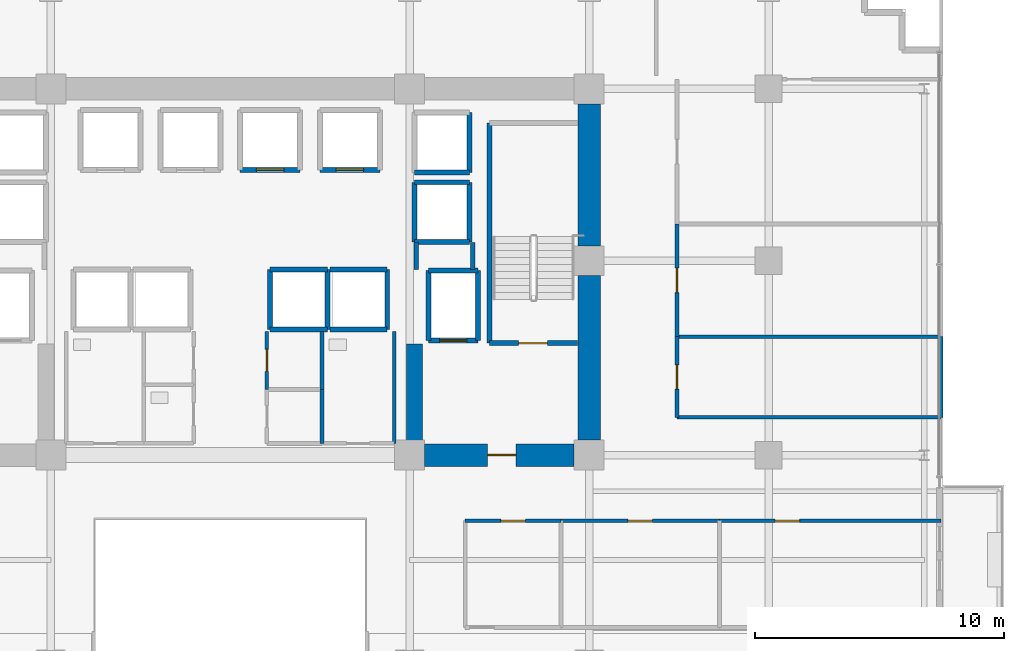
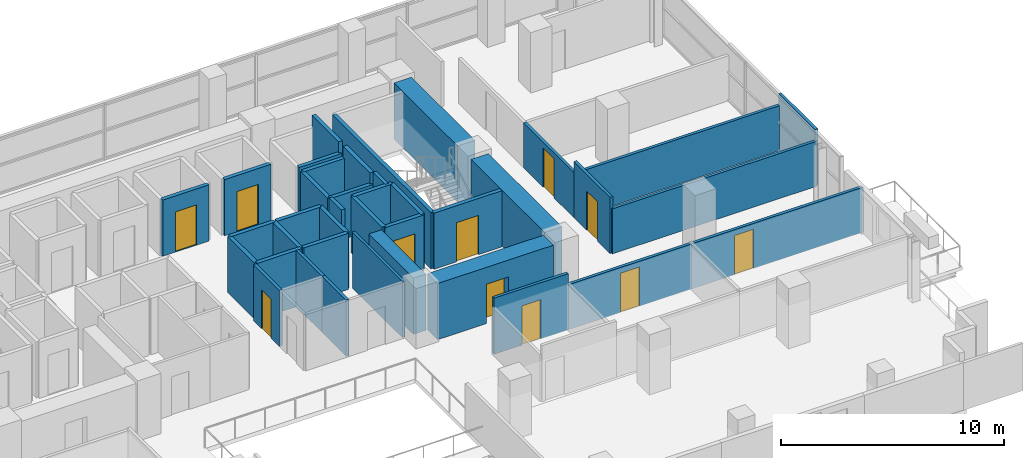
# One storey, part 24 of 30: 39 walls, 11 doors, 11 openings.
"""IFC4 building model written with IfcOpenShell, lengths in metres."""

from ifc_helpers import new_model, si_unit, direction, frame, frame_2d, origin, place, context, subcontext, project, spatial, rectangle, extrude, source, transform, mapped, material, layer, layer_set, type_object, element, fill, save


model = new_model("IFC4")

# Units and contexts
model_context = context("Model", 3, precision=1e-05, world=origin(), true_north=direction((0.0, 1.0)))
body_context = subcontext(model_context, "Body", "Model", "MODEL_VIEW")
ifc_project = project(units=[si_unit("LENGTHUNIT", "METRE"), si_unit("AREAUNIT", "SQUARE_METRE"), si_unit("VOLUMEUNIT", "CUBIC_METRE"), si_unit("PLANEANGLEUNIT", "RADIAN"), si_unit("MASSUNIT", "GRAM", prefix="KILO")], contexts=[model_context])

# Site, building, storey
site_placement = place(None, origin())
site = spatial("IfcSite", under=ifc_project, at=site_placement, CompositionType="ELEMENT")
building_placement = place(site_placement, origin())
building = spatial("IfcBuilding", under=site, at=building_placement, Name="Zarnakvel Exchange Tower", CompositionType="ELEMENT")
storey_placement = place(building_placement, frame((0.0, 0.0, 50.5)))
storey = spatial("IfcBuildingStorey", under=building, at=storey_placement, Name="L13", CompositionType="ELEMENT", Elevation=50.5)

# Walls
ifc_material_1 = material(Name="Concrete C80/95", Category="concrete")
ifc_layer_1 = layer(ifc_material_1, 0.89990234375)
ifc_layer_set_1 = layer_set([ifc_layer_1], Name="Concrete C80/95")
wall_type_1 = type_object("IfcWallType", Name="CW-C1", PredefinedType="SHEAR", material=ifc_layer_set_1)
wall_1_placement = place(storey_placement, frame((14.39990234375, -0.60009765625, 0.0), z_axis=(0.0, 0.0, 1.0), x_axis=(0.0, 1.0, 0.0)))
element("IfcWall", 1, at=wall_1_placement, inside=storey, type_object=wall_type_1, Name="L13 Rear Core Shear Wall E1 (CW-C1)", PredefinedType="SHEAR", context=body_context, shape_type="SweptSolid", body=[
    extrude(rectangle(XDim=6.60009765625, YDim=0.89990234375, at=frame_2d((3.300048828125, 0.0))), origin(), (0.0, 0.0, 1.0), 3.074951171875),
])
wall_2_placement = place(storey_placement, frame((14.39990234375, 7.199951171875, 0.0), z_axis=(0.0, 0.0, 1.0), x_axis=(0.0, 1.0, 0.0)))
element("IfcWall", 2, at=wall_2_placement, inside=storey, type_object=wall_type_1, Name="L13 Rear Core Shear Wall E2 (CW-C1)", PredefinedType="SHEAR", context=body_context, shape_type="SweptSolid", body=[
    extrude(rectangle(XDim=5.699951171875, YDim=0.89990234375, at=frame_2d((2.85009765625, 0.0))), origin(), (0.0, 0.0, 1.0), 3.074951171875),
])

# Wall, opening, door
wall_3_placement = place(storey_placement, frame((13.800048828125, -1.199951171875, 0.0), z_axis=(0.0, 0.0, 1.0), x_axis=(-1.0, 0.0, 0.0)))
wall_3 = element("IfcWall", 3, at=wall_3_placement, inside=storey, type_object=wall_type_1, Name="L13 Rear Core Shear Wall SE (CW-C1)", PredefinedType="SHEAR", context=body_context, shape_type="SweptSolid", body=[
    extrude(rectangle(XDim=6.0, YDim=0.89990234375, at=frame_2d((3.0, 0.0))), origin(), (0.0, 0.0, 1.0), 3.074951171875),
])
opening_1_placement = place(wall_3_placement, frame((2.324951171875, 0.0, 0.0)))
opening_1 = element("IfcOpeningElement", 4, at=opening_1_placement, cuts=wall_3, Name="Opening D-L13-04", PredefinedType="OPENING", context=body_context, shape_type="SweptSolid", body=[
    extrude(rectangle(XDim=1.14990234375, YDim=2.14990234375, at=frame_2d((0.574951171875, 1.074951171875))), frame((0.0, 0.4599609375, 0.0), z_axis=(0.0, -1.0, 0.0), x_axis=(1.0, 0.0, 0.0)), (0.0, 0.0, 1.0), 0.919921875),
])
ifc_material_2 = material(Name="Painted Galvanised Steel S355", Category="steel")
door_type_1 = type_object("IfcDoorType", Name="DT-04", OperationType="NOTDEFINED", PredefinedType="DOOR", material=ifc_material_2)
shared_shape_1 = source(origin(), body_context, "Body", "SweptSolid", [
    extrude(rectangle(XDim=1.14990234375, YDim=2.14990234375, at=frame_2d((0.574951171875, 1.074951171875))), frame((0.0, 0.02490234375, 0.0), z_axis=(0.0, -1.0, 0.0), x_axis=(1.0, 0.0, 0.0)), (0.0, 0.0, 1.0), 0.050048828125),
])
door_1_placement = place(opening_1_placement, origin())
door_1 = element("IfcDoor", 5, at=door_1_placement, inside=storey, type_object=door_type_1, Name="L13 Firefighting Lobby East Door D-L13-04", OperationType="SINGLE_SWING_RIGHT", OverallHeight=2.14990234375, OverallWidth=1.14990234375, PredefinedType="DOOR", context=body_context, shape_type="MappedRepresentation", body=[
    mapped(shared_shape_1, transform((0.0, 0.0, 0.0), x_axis=(1.0, 0.0, 0.0), y_axis=(0.0, 1.0, 0.0), z_axis=(0.0, 0.0, 1.0), scale=1.0)),
])
fill(opening_1, door_1)

# Walls
ifc_layer_2 = layer(ifc_material_1, 0.64990234375)
ifc_layer_set_2 = layer_set([ifc_layer_2], Name="Concrete C80/95")
wall_type_2 = type_object("IfcWallType", Name="CW-C2", PredefinedType="SHEAR", material=ifc_layer_set_2)
wall_4_placement = place(storey_placement, frame((7.39990234375, -0.75, 0.0), z_axis=(0.0, 0.0, 1.0), x_axis=(0.0, 1.0, 0.0)))
element("IfcWall", 6, at=wall_4_placement, inside=storey, type_object=wall_type_2, Name="L13 Rear Core Shear Wall IE (CW-C2)", PredefinedType="SHEAR", context=body_context, shape_type="SweptSolid", body=[
    extrude(rectangle(XDim=4.0, YDim=0.64990234375, at=frame_2d((2.0, 0.0))), origin(), (0.0, 0.0, 1.0), 3.074951171875),
])
ifc_material_3 = material(Name="Fire-Rated Gypsum Stud Partition", Category="gypsum")
ifc_layer_3 = layer(ifc_material_3, 0.14990234375)
ifc_layer_set_3 = layer_set([ifc_layer_3], Name="Fire-Rated Gypsum Stud Partition")
wall_type_3 = type_object("IfcWallType", Name="PT-01", PredefinedType="PARTITIONING", material=ifc_layer_set_3)
wall_5_placement = place(storey_placement, frame((3.679931640625, 1.429931640625, 0.0), z_axis=(0.0, 0.0, 1.0), x_axis=(0.0, -1.0, 0.0)))
element("IfcWall", 7, at=wall_5_placement, inside=storey, type_object=wall_type_3, Name="L13 Partition Wall PWALL-L13-021 (PT-01)", PredefinedType="PARTITIONING", context=body_context, shape_type="SweptSolid", body=[
    extrude(rectangle(XDim=2.159912109375, YDim=0.14990234375, at=frame_2d((1.080078125, 0.0))), origin(), (0.0, 0.0, 1.0), 3.074951171875),
])

# Wall, opening, door
wall_6_placement = place(storey_placement, frame((1.469970703125, 1.429931640625, 0.0), z_axis=(0.0, 0.0, 1.0), x_axis=(0.0, 1.0, 0.0)))
wall_6 = element("IfcWall", 8, at=wall_6_placement, inside=storey, type_object=wall_type_3, Name="L13 Partition Wall PWALL-L13-022 (PT-01)", PredefinedType="PARTITIONING", context=body_context, shape_type="SweptSolid", body=[
    extrude(rectangle(XDim=2.330078125, YDim=0.14990234375, at=frame_2d((1.1650390625, 0.0))), origin(), (0.0, 0.0, 1.0), 3.074951171875),
])
opening_2_placement = place(wall_6_placement, frame((0.72998046875, 0.0, 0.0)))
opening_2 = element("IfcOpeningElement", 9, at=opening_2_placement, cuts=wall_6, Name="Opening D-L13-09", PredefinedType="OPENING", context=body_context, shape_type="SweptSolid", body=[
    extrude(rectangle(XDim=0.8798828125, YDim=2.14990234375, at=frame_2d((0.43994140625, 1.074951171875))), frame((0.0, 0.0849609375, 0.0), z_axis=(0.0, -1.0, 0.0), x_axis=(1.0, 0.0, 0.0)), (0.0, 0.0, 1.0), 0.169921875),
])
ifc_material_4 = material(Name="Timber Acoustic Veneer", Category="wood")
door_type_2 = type_object("IfcDoorType", Name="DT-05", OperationType="NOTDEFINED", PredefinedType="DOOR", material=ifc_material_4)
shared_shape_2 = source(origin(), body_context, "Body", "SweptSolid", [
    extrude(rectangle(XDim=0.8798828125, YDim=2.14990234375, at=frame_2d((0.43994140625, 1.074951171875))), frame((0.0, 0.02490234375, 0.0), z_axis=(0.0, -1.0, 0.0), x_axis=(1.0, 0.0, 0.0)), (0.0, 0.0, 1.0), 0.050048828125),
])
door_2_placement = place(opening_2_placement, origin())
door_2 = element("IfcDoor", 10, at=door_2_placement, inside=storey, type_object=door_type_2, Name="L13 Stationery Store Door D-L13-09", OperationType="SINGLE_SWING_LEFT", OverallHeight=2.14990234375, OverallWidth=0.8798828125, PredefinedType="DOOR", context=body_context, shape_type="MappedRepresentation", body=[
    mapped(shared_shape_2, transform((0.0, 0.0, 0.0), x_axis=(1.0, 0.0, 0.0), y_axis=(0.0, 1.0, 0.0), z_axis=(0.0, 0.0, 1.0), scale=1.0)),
])
fill(opening_2, door_2)

# Wall
wall_7_placement = place(storey_placement, frame((3.679931640625, 3.760009765625, 0.0), z_axis=(0.0, 0.0, 1.0), x_axis=(0.0, -1.0, 0.0)))
element("IfcWall", 11, at=wall_7_placement, inside=storey, type_object=wall_type_3, Name="L13 Partition Wall PWALL-L13-023 (PT-01)", PredefinedType="PARTITIONING", context=body_context, shape_type="SweptSolid", body=[
    extrude(rectangle(XDim=2.330078125, YDim=0.14990234375, at=frame_2d((1.1650390625, 0.0))), origin(), (0.0, 0.0, 1.0), 3.074951171875),
])

# Wall, opening, door
wall_8_placement = place(storey_placement, frame((9.429931640625, -3.830078125, 0.0), z_axis=(0.0, 0.0, 1.0), x_axis=(1.0, 0.0, 0.0)))
wall_8 = element("IfcWall", 12, at=wall_8_placement, inside=storey, type_object=wall_type_3, Name="L13 Partition Wall PWALL-L13-037 (PT-01)", PredefinedType="PARTITIONING", context=body_context, shape_type="SweptSolid", body=[
    extrude(rectangle(XDim=3.838134765625, YDim=0.14990234375, at=frame_2d((1.9189453125, 0.0))), origin(), (0.0, 0.0, 1.0), 3.074951171875),
])
opening_3_placement = place(wall_8_placement, frame((1.428955078125, 0.0, 0.0)))
opening_3 = element("IfcOpeningElement", 13, at=opening_3_placement, cuts=wall_8, Name="Opening D-L13-14", PredefinedType="OPENING", context=body_context, shape_type="SweptSolid", body=[
    extrude(rectangle(XDim=0.97998046875, YDim=2.14990234375, at=frame_2d((0.489990234375, 1.074951171875))), frame((0.0, 0.0849609375, 0.0), z_axis=(0.0, -1.0, 0.0), x_axis=(1.0, 0.0, 0.0)), (0.0, 0.0, 1.0), 0.169921875),
])
shared_shape_3 = source(origin(), body_context, "Body", "SweptSolid", [
    extrude(rectangle(XDim=0.97998046875, YDim=2.14990234375, at=frame_2d((0.489990234375, 1.074951171875))), frame((0.0, 0.02490234375, 0.0), z_axis=(0.0, -1.0, 0.0), x_axis=(1.0, 0.0, 0.0)), (0.0, 0.0, 1.0), 0.050048828125),
])
door_3_placement = place(opening_3_placement, origin())
door_3 = element("IfcDoor", 14, at=door_3_placement, inside=storey, type_object=door_type_2, Name="L13 Conference Room Door D-L13-14", OperationType="SINGLE_SWING_RIGHT", OverallHeight=2.14990234375, OverallWidth=0.97998046875, PredefinedType="DOOR", context=body_context, shape_type="MappedRepresentation", body=[
    mapped(shared_shape_3, transform((0.0, 0.0, 0.0), x_axis=(1.0, 0.0, 0.0), y_axis=(0.0, 1.0, 0.0), z_axis=(0.0, 0.0, 1.0), scale=1.0)),
])
fill(opening_3, door_3)

wall_9_placement = place(storey_placement, frame((13.26806640625, -3.830078125, 0.0), z_axis=(0.0, 0.0, 1.0), x_axis=(1.0, 0.0, 0.0)))
wall_9 = element("IfcWall", 15, at=wall_9_placement, inside=storey, type_object=wall_type_3, Name="L13 Partition Wall PWALL-L13-041 (PT-01)", PredefinedType="PARTITIONING", context=body_context, shape_type="SweptSolid", body=[
    extrude(rectangle(XDim=6.36669921875, YDim=0.14990234375, at=frame_2d((3.183349609375, 0.0))), origin(), (0.0, 0.0, 1.0), 2.465087890625),
])
opening_4_placement = place(wall_9_placement, frame((2.693115234375, 0.0, 0.0)))
opening_4 = element("IfcOpeningElement", 16, at=opening_4_placement, cuts=wall_9, Name="Opening D-L13-15", PredefinedType="OPENING", context=body_context, shape_type="SweptSolid", body=[
    extrude(rectangle(XDim=0.97998046875, YDim=2.14990234375, at=frame_2d((0.489990234375, 1.074951171875))), frame((0.0, 0.0849609375, 0.0), z_axis=(0.0, -1.0, 0.0), x_axis=(1.0, 0.0, 0.0)), (0.0, 0.0, 1.0), 0.169921875),
])
door_4_placement = place(opening_4_placement, origin())
door_4 = element("IfcDoor", 17, at=door_4_placement, inside=storey, type_object=door_type_2, Name="L13 Executive Suite Door D-L13-15", OperationType="SINGLE_SWING_LEFT", OverallHeight=2.14990234375, OverallWidth=0.97998046875, PredefinedType="DOOR", context=body_context, shape_type="MappedRepresentation", body=[
    mapped(shared_shape_3, transform((0.0, 0.0, 0.0), x_axis=(1.0, 0.0, 0.0), y_axis=(0.0, 1.0, 0.0), z_axis=(0.0, 0.0, 1.0), scale=1.0)),
])
fill(opening_4, door_4)

wall_10_placement = place(storey_placement, frame((19.634765625, -3.830078125, 0.0), z_axis=(0.0, 0.0, 1.0), x_axis=(1.0, 0.0, 0.0)))
wall_10 = element("IfcWall", 18, at=wall_10_placement, inside=storey, type_object=wall_type_3, Name="L13 Partition Wall PWALL-L13-044 (PT-01)", PredefinedType="PARTITIONING", context=body_context, shape_type="SweptSolid", body=[
    extrude(rectangle(XDim=8.895263671875, YDim=0.14990234375, at=frame_2d((4.44775390625, 0.0))), origin(), (0.0, 0.0, 1.0), 2.465087890625),
])
opening_5_placement = place(wall_10_placement, frame((2.232421875, 0.0, 0.0)))
opening_5 = element("IfcOpeningElement", 19, at=opening_5_placement, cuts=wall_10, Name="Opening D-L13-16", PredefinedType="OPENING", context=body_context, shape_type="SweptSolid", body=[
    extrude(rectangle(XDim=0.97998046875, YDim=2.14990234375, at=frame_2d((0.489990234375, 1.074951171875))), frame((0.0, 0.0849609375, 0.0), z_axis=(0.0, -1.0, 0.0), x_axis=(1.0, 0.0, 0.0)), (0.0, 0.0, 1.0), 0.169921875),
])
door_5_placement = place(opening_5_placement, origin())
door_5 = element("IfcDoor", 20, at=door_5_placement, inside=storey, type_object=door_type_2, Name="L13 Staff Pantry Door D-L13-16", OperationType="SINGLE_SWING_RIGHT", OverallHeight=2.14990234375, OverallWidth=0.97998046875, PredefinedType="DOOR", context=body_context, shape_type="MappedRepresentation", body=[
    mapped(shared_shape_3, transform((0.0, 0.0, 0.0), x_axis=(1.0, 0.0, 0.0), y_axis=(0.0, 1.0, 0.0), z_axis=(0.0, 0.0, 1.0), scale=1.0)),
])
fill(opening_5, door_5)

# Walls
for number, where, z_axis, x_axis, name in (
    (21, (28.530029296875, 0.314453125, 0.0), (0.0, 0.0, 1.0), (-1.0, 0.0, 0.0), "L13 Partition Wall PWALL-L13-052 (PT-01)"),
    (22, (17.929931640625, 3.553466796875, 0.0), (0.0, 0.0, 1.0), (1.0, 0.0, 0.0), "L13 Partition Wall PWALL-L13-053 (PT-01)"),
):
    element("IfcWall", number, at=place(storey_placement, frame(where, z_axis=z_axis, x_axis=x_axis)), inside=storey, type_object=wall_type_3, Name=name, PredefinedType="PARTITIONING", context=body_context, shape_type="SweptSolid", body=[
        extrude(rectangle(XDim=10.60009765625, YDim=0.14990234375, at=frame_2d((5.300048828125, 0.0))), origin(), (0.0, 0.0, 1.0), 2.465087890625),
    ])

# Wall, opening, door
wall_11_placement = place(storey_placement, frame((17.929931640625, 0.314453125, 0.0), z_axis=(0.0, 0.0, 1.0), x_axis=(0.0, 1.0, 0.0)))
wall_11 = element("IfcWall", 23, at=wall_11_placement, inside=storey, type_object=wall_type_3, Name="L13 Partition Wall PWALL-L13-054 (PT-01)", PredefinedType="PARTITIONING", context=body_context, shape_type="SweptSolid", body=[
    extrude(rectangle(XDim=3.239013671875, YDim=0.14990234375, at=frame_2d((1.61962890625, 0.0))), origin(), (0.0, 0.0, 1.0), 3.074951171875),
])
opening_6_placement = place(wall_11_placement, frame((1.129638671875, 0.0, 0.0)))
opening_6 = element("IfcOpeningElement", 24, at=opening_6_placement, cuts=wall_11, Name="Opening D-L13-20", PredefinedType="OPENING", context=body_context, shape_type="SweptSolid", body=[
    extrude(rectangle(XDim=0.97998046875, YDim=2.14990234375, at=frame_2d((0.489990234375, 1.074951171875))), frame((0.0, 0.0849609375, 0.0), z_axis=(0.0, -1.0, 0.0), x_axis=(1.0, 0.0, 0.0)), (0.0, 0.0, 1.0), 0.169921875),
])
door_6_placement = place(opening_6_placement, origin())
door_6 = element("IfcDoor", 25, at=door_6_placement, inside=storey, type_object=door_type_2, Name="L13 Compliance Office Door D-L13-20", OperationType="SINGLE_SWING_RIGHT", OverallHeight=2.14990234375, OverallWidth=0.97998046875, PredefinedType="DOOR", context=body_context, shape_type="MappedRepresentation", body=[
    mapped(shared_shape_3, transform((0.0, 0.0, 0.0), x_axis=(1.0, 0.0, 0.0), y_axis=(0.0, 1.0, 0.0), z_axis=(0.0, 0.0, 1.0), scale=1.0)),
])
fill(opening_6, door_6)

# Wall
wall_12_placement = place(storey_placement, frame((28.530029296875, 3.553466796875, 0.0), z_axis=(0.0, 0.0, 1.0), x_axis=(0.0, -1.0, 0.0)))
element("IfcWall", 26, at=wall_12_placement, inside=storey, type_object=wall_type_3, Name="L13 Partition Wall PWALL-L13-055 (PT-01)", PredefinedType="PARTITIONING", context=body_context, shape_type="SweptSolid", body=[
    extrude(rectangle(XDim=3.239013671875, YDim=0.14990234375, at=frame_2d((1.61962890625, 0.0))), origin(), (0.0, 0.0, 1.0), 3.074951171875),
])

# Wall, opening, door
wall_13_placement = place(storey_placement, frame((17.929931640625, 3.553466796875, 0.0), z_axis=(0.0, 0.0, 1.0), x_axis=(0.0, 1.0, 0.0)))
wall_13 = element("IfcWall", 27, at=wall_13_placement, inside=storey, type_object=wall_type_3, Name="L13 Partition Wall PWALL-L13-057 (PT-01)", PredefinedType="PARTITIONING", context=body_context, shape_type="SweptSolid", body=[
    extrude(rectangle(XDim=4.521728515625, YDim=0.14990234375, at=frame_2d((2.2607421875, 0.0))), origin(), (0.0, 0.0, 1.0), 2.465087890625),
])
opening_7_placement = place(wall_13_placement, frame((1.7705078125, 0.0, 0.0)))
opening_7 = element("IfcOpeningElement", 28, at=opening_7_placement, cuts=wall_13, Name="Opening D-L13-21", PredefinedType="OPENING", context=body_context, shape_type="SweptSolid", body=[
    extrude(rectangle(XDim=0.97998046875, YDim=2.14990234375, at=frame_2d((0.489990234375, 1.074951171875))), frame((0.0, 0.0849609375, 0.0), z_axis=(0.0, -1.0, 0.0), x_axis=(1.0, 0.0, 0.0)), (0.0, 0.0, 1.0), 0.169921875),
])
door_7_placement = place(opening_7_placement, origin())
door_7 = element("IfcDoor", 29, at=door_7_placement, inside=storey, type_object=door_type_2, Name="L13 Client Lounge Door D-L13-21", OperationType="SINGLE_SWING_LEFT", OverallHeight=2.14990234375, OverallWidth=0.97998046875, PredefinedType="DOOR", context=body_context, shape_type="MappedRepresentation", body=[
    mapped(shared_shape_3, transform((0.0, 0.0, 0.0), x_axis=(1.0, 0.0, 0.0), y_axis=(0.0, 1.0, 0.0), z_axis=(0.0, 0.0, 1.0), scale=1.0)),
])
fill(opening_7, door_7)

# Walls
ifc_layer_4 = layer(ifc_material_3, 0.179931640625)
ifc_layer_set_4 = layer_set([ifc_layer_4], Name="Fire-Rated Gypsum Stud Partition")
wall_type_4 = type_object("IfcWallType", Name="PT-02", PredefinedType="PARTITIONING", material=ifc_layer_set_4)
wall_14_placement = place(storey_placement, frame((7.469970703125, 6.239990234375, 0.0), z_axis=(0.0, 0.0, 1.0), x_axis=(0.0, 1.0, 0.0)))
element("IfcWall", 30, at=wall_14_placement, inside=storey, type_object=wall_type_4, Name="L13 Partition Wall PWALL-L13-009 (PT-02)", PredefinedType="PARTITIONING", context=body_context, shape_type="SweptSolid", body=[
    extrude(rectangle(XDim=1.090087890625, YDim=0.179931640625, at=frame_2d((0.544921875, 0.0))), origin(), (0.0, 0.0, 1.0), 2.465087890625),
])
wall_15_placement = place(storey_placement, frame((9.72998046875, 7.330078125, 0.0), z_axis=(0.0, 0.0, 1.0), x_axis=(0.0, -1.0, 0.0)))
element("IfcWall", 31, at=wall_15_placement, inside=storey, type_object=wall_type_4, Name="L13 Partition Wall PWALL-L13-010 (PT-02)", PredefinedType="PARTITIONING", context=body_context, shape_type="SweptSolid", body=[
    extrude(rectangle(XDim=1.090087890625, YDim=0.179931640625, at=frame_2d((0.544921875, 0.0))), origin(), (0.0, 0.0, 1.0), 3.074951171875),
])
ifc_material_5 = material(Name="Moisture-Resistant Tile-Faced Partition", Category="gypsum")
ifc_layer_5 = layer(ifc_material_5, 0.135009765625)
ifc_layer_set_5 = layer_set([ifc_layer_5], Name="Moisture-Resistant Tile-Faced Partition")
wall_type_5 = type_object("IfcWallType", Name="PT-03", PredefinedType="PARTITIONING", material=ifc_layer_set_5)
wall_16_placement = place(storey_placement, frame((6.580078125, 3.760009765625, 0.0), z_axis=(0.0, 0.0, 1.0), x_axis=(0.0, -1.0, 0.0)))
element("IfcWall", 32, at=wall_16_placement, inside=storey, type_object=wall_type_5, Name="L13 Partition Wall PWALL-L13-025 (PT-03)", PredefinedType="PARTITIONING", context=body_context, shape_type="SweptSolid", body=[
    extrude(rectangle(XDim=4.489990234375, YDim=0.135009765625, at=frame_2d((2.2451171875, 0.0))), origin(), (0.0, 0.0, 1.0), 3.074951171875),
])

# Wall, opening, door
ifc_material_6 = material(Name="Concrete C40/50", Category="concrete")
ifc_layer_6 = layer(ifc_material_6, 0.199951171875)
ifc_layer_set_6 = layer_set([ifc_layer_6], Name="Concrete C40/50")
wall_type_6 = type_object("IfcWallType", Name="SW-01", PredefinedType="SOLIDWALL", material=ifc_layer_set_6)
wall_17_placement = place(storey_placement, frame((9.949951171875, 3.39990234375, 0.0), z_axis=(0.0, 0.0, 1.0), x_axis=(-1.0, 0.0, 0.0)))
wall_17 = element("IfcWall", 33, at=wall_17_placement, inside=storey, type_object=wall_type_6, Name="L13 FL-02 Hoistway Wall South", PredefinedType="SOLIDWALL", context=body_context, shape_type="SweptSolid", body=[
    extrude(rectangle(XDim=2.0, YDim=0.199951171875, at=frame_2d((1.0, 0.0))), origin(), (0.0, 0.0, 1.0), 3.074951171875),
])
opening_8_placement = place(wall_17_placement, frame((0.449951171875, 0.0, 0.0)))
opening_8 = element("IfcOpeningElement", 34, at=opening_8_placement, cuts=wall_17, Name="Opening LD-FL-02-L13", PredefinedType="OPENING", context=body_context, shape_type="SweptSolid", body=[
    extrude(rectangle(XDim=1.10009765625, YDim=2.199951171875, at=frame_2d((0.550048828125, 1.10009765625))), frame((0.0, 0.10986328125, 0.0), z_axis=(0.0, -1.0, 0.0), x_axis=(1.0, 0.0, 0.0)), (0.0, 0.0, 1.0), 0.219970703125),
])
ifc_material_7 = material(Name="Brushed Stainless Steel", Category="steel")
door_type_3 = type_object("IfcDoorType", Name="LDT-01", OperationType="NOTDEFINED", PredefinedType="DOOR", material=ifc_material_7)
shared_shape_4 = source(origin(), body_context, "Body", "SweptSolid", [
    extrude(rectangle(XDim=1.10009765625, YDim=2.199951171875, at=frame_2d((0.550048828125, 1.10009765625))), frame((0.0, 0.02490234375, 0.0), z_axis=(0.0, -1.0, 0.0), x_axis=(1.0, 0.0, 0.0)), (0.0, 0.0, 1.0), 0.050048828125),
])
door_8_placement = place(opening_8_placement, origin())
door_8 = element("IfcDoor", 35, at=door_8_placement, inside=storey, type_object=door_type_3, Name="L13 FL-02 Lift Landing Door LD-FL-02-L13", OperationType="DOUBLE_DOOR_SLIDING", OverallHeight=2.199951171875, OverallWidth=1.10009765625, PredefinedType="DOOR", context=body_context, shape_type="MappedRepresentation", body=[
    mapped(shared_shape_4, transform((0.0, 0.0, 0.0), x_axis=(1.0, 0.0, 0.0), y_axis=(0.0, 1.0, 0.0), z_axis=(0.0, 0.0, 1.0), scale=1.0)),
])
fill(opening_8, door_8)

# Walls
wall_18_placement = place(storey_placement, frame((7.949951171875, 6.199951171875, 0.0), z_axis=(0.0, 0.0, 1.0), x_axis=(1.0, 0.0, 0.0)))
element("IfcWall", 36, at=wall_18_placement, inside=storey, type_object=wall_type_6, Name="L13 FL-02 Hoistway Wall North", PredefinedType="SOLIDWALL", context=body_context, shape_type="SweptSolid", body=[
    extrude(rectangle(XDim=2.0, YDim=0.199951171875, at=frame_2d((1.0, 0.0))), origin(), (0.0, 0.0, 1.0), 3.074951171875),
])
for number, where, z_axis, x_axis, name in (
    (37, (7.949951171875, 3.39990234375, 0.0), (0.0, 0.0, 1.0), (0.0, 1.0, 0.0), "L13 FL-02 Hoistway Wall West"),
    (38, (9.949951171875, 6.199951171875, 0.0), (0.0, 0.0, 1.0), (0.0, -1.0, 0.0), "L13 FL-02 Hoistway Wall East"),
):
    element("IfcWall", number, at=place(storey_placement, frame(where, z_axis=z_axis, x_axis=x_axis)), inside=storey, type_object=wall_type_6, Name=name, PredefinedType="SOLIDWALL", context=body_context, shape_type="SweptSolid", body=[
        extrude(rectangle(XDim=2.800048828125, YDim=0.199951171875, at=frame_2d((1.39990234375, 0.0))), origin(), (0.0, 0.0, 1.0), 3.074951171875),
    ])

# Wall, opening, door
wall_19_placement = place(storey_placement, frame((2.800048828125, 10.25, 0.0), z_axis=(0.0, 0.0, 1.0), x_axis=(-1.0, 0.0, 0.0)))
wall_19 = element("IfcWall", 39, at=wall_19_placement, inside=storey, type_object=wall_type_6, Name="L13 PL-03 Hoistway Wall South", PredefinedType="SOLIDWALL", context=body_context, shape_type="SweptSolid", body=[
    extrude(rectangle(XDim=2.400146484375, YDim=0.199951171875, at=frame_2d((1.2001953125, 0.0))), origin(), (0.0, 0.0, 1.0), 3.074951171875),
])
opening_9_placement = place(wall_19_placement, frame((0.64990234375, 0.0, 0.0)))
opening_9 = element("IfcOpeningElement", 40, at=opening_9_placement, cuts=wall_19, Name="Opening LD-PL-03-L13", PredefinedType="OPENING", context=body_context, shape_type="SweptSolid", body=[
    extrude(rectangle(XDim=1.10009765625, YDim=2.199951171875, at=frame_2d((0.550048828125, 1.10009765625))), frame((0.0, 0.10986328125, 0.0), z_axis=(0.0, -1.0, 0.0), x_axis=(1.0, 0.0, 0.0)), (0.0, 0.0, 1.0), 0.219970703125),
])
ifc_material_8 = material(Name="Architectural Bronze Anodised Aluminium", Category="aluminium")
door_type_4 = type_object("IfcDoorType", Name="LDT-02", OperationType="NOTDEFINED", PredefinedType="DOOR", material=ifc_material_8)
door_9_placement = place(opening_9_placement, origin())
door_9 = element("IfcDoor", 41, at=door_9_placement, inside=storey, type_object=door_type_4, Name="L13 PL-03 Lift Landing Door LD-PL-03-L13", OperationType="DOUBLE_DOOR_SLIDING", OverallHeight=2.199951171875, OverallWidth=1.10009765625, PredefinedType="DOOR", context=body_context, shape_type="MappedRepresentation", body=[
    mapped(shared_shape_4, transform((0.0, 0.0, 0.0), x_axis=(1.0, 0.0, 0.0), y_axis=(0.0, 1.0, 0.0), z_axis=(0.0, 0.0, 1.0), scale=1.0)),
])
fill(opening_9, door_9)

wall_20_placement = place(storey_placement, frame((6.0, 10.25, 0.0), z_axis=(0.0, 0.0, 1.0), x_axis=(-1.0, 0.0, 0.0)))
wall_20 = element("IfcWall", 42, at=wall_20_placement, inside=storey, type_object=wall_type_6, Name="L13 PL-04 Hoistway Wall South", PredefinedType="SOLIDWALL", context=body_context, shape_type="SweptSolid", body=[
    extrude(rectangle(XDim=2.39990234375, YDim=0.199951171875, at=frame_2d((1.199951171875, 0.0))), origin(), (0.0, 0.0, 1.0), 3.074951171875),
])
opening_10_placement = place(wall_20_placement, frame((0.64990234375, 0.0, 0.0)))
opening_10 = element("IfcOpeningElement", 43, at=opening_10_placement, cuts=wall_20, Name="Opening LD-PL-04-L13", PredefinedType="OPENING", context=body_context, shape_type="SweptSolid", body=[
    extrude(rectangle(XDim=1.10009765625, YDim=2.199951171875, at=frame_2d((0.550048828125, 1.10009765625))), frame((0.0, 0.10986328125, 0.0), z_axis=(0.0, -1.0, 0.0), x_axis=(1.0, 0.0, 0.0)), (0.0, 0.0, 1.0), 0.219970703125),
])
door_10_placement = place(opening_10_placement, origin())
door_10 = element("IfcDoor", 44, at=door_10_placement, inside=storey, type_object=door_type_4, Name="L13 PL-04 Lift Landing Door LD-PL-04-L13", OperationType="DOUBLE_DOOR_SLIDING", OverallHeight=2.199951171875, OverallWidth=1.10009765625, PredefinedType="DOOR", context=body_context, shape_type="MappedRepresentation", body=[
    mapped(shared_shape_4, transform((0.0, 0.0, 0.0), x_axis=(1.0, 0.0, 0.0), y_axis=(0.0, 1.0, 0.0), z_axis=(0.0, 0.0, 1.0), scale=1.0)),
])
fill(opening_10, door_10)

# Walls
for number, where, z_axis, x_axis, name in (
    (45, (3.89990234375, 3.85009765625, 0.0), (0.0, 0.0, 1.0), (-1.0, 0.0, 0.0), "L13 PL-07 Hoistway Wall South"),
    (46, (1.60009765625, 6.25, 0.0), (0.0, 0.0, 1.0), (1.0, 0.0, 0.0), "L13 PL-07 Hoistway Wall North"),
):
    element("IfcWall", number, at=place(storey_placement, frame(where, z_axis=z_axis, x_axis=x_axis)), inside=storey, type_object=wall_type_6, Name=name, PredefinedType="SOLIDWALL", context=body_context, shape_type="SweptSolid", body=[
        extrude(rectangle(XDim=2.2998046875, YDim=0.199951171875, at=frame_2d((1.14990234375, 0.0))), origin(), (0.0, 0.0, 1.0), 3.074951171875),
    ])
for number, where, z_axis, x_axis, name in (
    (47, (1.60009765625, 3.85009765625, 0.0), (0.0, 0.0, 1.0), (0.0, 1.0, 0.0), "L13 PL-07 Hoistway Wall West"),
    (48, (3.89990234375, 6.25, 0.0), (0.0, 0.0, 1.0), (0.0, -1.0, 0.0), "L13 PL-07 Hoistway Wall East"),
):
    element("IfcWall", number, at=place(storey_placement, frame(where, z_axis=z_axis, x_axis=x_axis)), inside=storey, type_object=wall_type_6, Name=name, PredefinedType="SOLIDWALL", context=body_context, shape_type="SweptSolid", body=[
        extrude(rectangle(XDim=2.39990234375, YDim=0.199951171875, at=frame_2d((1.199951171875, 0.0))), origin(), (0.0, 0.0, 1.0), 3.074951171875),
    ])
for number, where, z_axis, x_axis, name in (
    (49, (6.300048828125, 3.85009765625, 0.0), (0.0, 0.0, 1.0), (-1.0, 0.0, 0.0), "L13 PL-08 Hoistway Wall South"),
    (50, (4.0, 6.25, 0.0), (0.0, 0.0, 1.0), (1.0, 0.0, 0.0), "L13 PL-08 Hoistway Wall North"),
):
    element("IfcWall", number, at=place(storey_placement, frame(where, z_axis=z_axis, x_axis=x_axis)), inside=storey, type_object=wall_type_6, Name=name, PredefinedType="SOLIDWALL", context=body_context, shape_type="SweptSolid", body=[
        extrude(rectangle(XDim=2.300048828125, YDim=0.199951171875, at=frame_2d((1.14990234375, 0.0))), origin(), (0.0, 0.0, 1.0), 3.074951171875),
    ])
wall_21_placement = place(storey_placement, frame((6.300048828125, 6.25, 0.0), z_axis=(0.0, 0.0, 1.0), x_axis=(0.0, -1.0, 0.0)))
element("IfcWall", 51, at=wall_21_placement, inside=storey, type_object=wall_type_6, Name="L13 PL-08 Hoistway Wall East", PredefinedType="SOLIDWALL", context=body_context, shape_type="SweptSolid", body=[
    extrude(rectangle(XDim=2.39990234375, YDim=0.199951171875, at=frame_2d((1.199951171875, 0.0))), origin(), (0.0, 0.0, 1.0), 3.074951171875),
])
for number, where, z_axis, x_axis, name in (
    (52, (9.60009765625, 7.35009765625, 0.0), (0.0, 0.0, 1.0), (-1.0, 0.0, 0.0), "L13 PL-11 Hoistway Wall South"),
    (53, (7.39990234375, 9.75, 0.0), (0.0, 0.0, 1.0), (1.0, 0.0, 0.0), "L13 PL-11 Hoistway Wall North"),
):
    element("IfcWall", number, at=place(storey_placement, frame(where, z_axis=z_axis, x_axis=x_axis)), inside=storey, type_object=wall_type_6, Name=name, PredefinedType="SOLIDWALL", context=body_context, shape_type="SweptSolid", body=[
        extrude(rectangle(XDim=2.2001953125, YDim=0.199951171875, at=frame_2d((1.10009765625, 0.0))), origin(), (0.0, 0.0, 1.0), 2.465087890625),
    ])
wall_22_placement = place(storey_placement, frame((7.39990234375, 7.35009765625, 0.0), z_axis=(0.0, 0.0, 1.0), x_axis=(0.0, 1.0, 0.0)))
element("IfcWall", 54, at=wall_22_placement, inside=storey, type_object=wall_type_6, Name="L13 PL-11 Hoistway Wall West", PredefinedType="SOLIDWALL", context=body_context, shape_type="SweptSolid", body=[
    extrude(rectangle(XDim=2.39990234375, YDim=0.199951171875, at=frame_2d((1.199951171875, 0.0))), origin(), (0.0, 0.0, 1.0), 2.465087890625),
])
wall_23_placement = place(storey_placement, frame((9.60009765625, 9.75, 0.0), z_axis=(0.0, 0.0, 1.0), x_axis=(0.0, -1.0, 0.0)))
element("IfcWall", 55, at=wall_23_placement, inside=storey, type_object=wall_type_6, Name="L13 PL-11 Hoistway Wall East", PredefinedType="SOLIDWALL", context=body_context, shape_type="SweptSolid", body=[
    extrude(rectangle(XDim=2.39990234375, YDim=0.199951171875, at=frame_2d((1.199951171875, 0.0))), origin(), (0.0, 0.0, 1.0), 3.074951171875),
])
wall_24_placement = place(storey_placement, frame((9.60009765625, 10.14990234375, 0.0), z_axis=(0.0, 0.0, 1.0), x_axis=(-1.0, 0.0, 0.0)))
element("IfcWall", 56, at=wall_24_placement, inside=storey, type_object=wall_type_6, Name="L13 PL-12 Hoistway Wall South", PredefinedType="SOLIDWALL", context=body_context, shape_type="SweptSolid", body=[
    extrude(rectangle(XDim=2.2001953125, YDim=0.199951171875, at=frame_2d((1.10009765625, 0.0))), origin(), (0.0, 0.0, 1.0), 2.465087890625),
])
wall_25_placement = place(storey_placement, frame((9.60009765625, 12.550048828125, 0.0), z_axis=(0.0, 0.0, 1.0), x_axis=(0.0, -1.0, 0.0)))
element("IfcWall", 57, at=wall_25_placement, inside=storey, type_object=wall_type_6, Name="L13 PL-12 Hoistway Wall East", PredefinedType="SOLIDWALL", context=body_context, shape_type="SweptSolid", body=[
    extrude(rectangle(XDim=2.400146484375, YDim=0.199951171875, at=frame_2d((1.2001953125, 0.0))), origin(), (0.0, 0.0, 1.0), 3.074951171875),
])

# Wall, opening, door
ifc_layer_7 = layer(ifc_material_6, 0.199951171875)
ifc_layer_set_7 = layer_set([ifc_layer_7], Name="Concrete C40/50")
wall_type_7 = type_object("IfcWallType", Name="SW-02", PredefinedType="SOLIDWALL", material=ifc_layer_set_7)
wall_26_placement = place(storey_placement, frame((13.929931640625, 3.2900390625, 0.0), z_axis=(0.0, 0.0, 1.0), x_axis=(-1.0, 0.0, 0.0)))
wall_26 = element("IfcWall", 58, at=wall_26_placement, inside=storey, type_object=wall_type_7, Name="L13 Stairwell Core Wall PWALL-L13-004 (SW-02)", PredefinedType="SOLIDWALL", context=body_context, shape_type="SweptSolid", body=[
    extrude(rectangle(XDim=3.52001953125, YDim=0.199951171875, at=frame_2d((1.760009765625, 0.0))), origin(), (0.0, 0.0, 1.0), 3.074951171875),
])
opening_11_placement = place(wall_26_placement, frame((1.205078125, 0.0, 0.0)))
opening_11 = element("IfcOpeningElement", 59, at=opening_11_placement, cuts=wall_26, Name="Opening D-L13-02", PredefinedType="OPENING", context=body_context, shape_type="SweptSolid", body=[
    extrude(rectangle(XDim=1.14990234375, YDim=2.14990234375, at=frame_2d((0.574951171875, 1.074951171875))), frame((0.0, 0.10986328125, 0.0), z_axis=(0.0, -1.0, 0.0), x_axis=(1.0, 0.0, 0.0)), (0.0, 0.0, 1.0), 0.219970703125),
])
door_11_placement = place(opening_11_placement, origin())
door_11 = element("IfcDoor", 60, at=door_11_placement, inside=storey, type_object=door_type_1, Name="L13 Stairwell ST-02 Door D-L13-02", OperationType="SINGLE_SWING_RIGHT", OverallHeight=2.14990234375, OverallWidth=1.14990234375, PredefinedType="DOOR", context=body_context, shape_type="MappedRepresentation", body=[
    mapped(shared_shape_1, transform((0.0, 0.0, 0.0), x_axis=(1.0, 0.0, 0.0), y_axis=(0.0, 1.0, 0.0), z_axis=(0.0, 0.0, 1.0), scale=1.0)),
])
fill(opening_11, door_11)

# Wall
wall_27_placement = place(storey_placement, frame((10.409912109375, 3.2900390625, 0.0), z_axis=(0.0, 0.0, 1.0), x_axis=(0.0, 1.0, 0.0)))
element("IfcWall", 61, at=wall_27_placement, inside=storey, type_object=wall_type_7, Name="L13 Stairwell Core Wall PWALL-L13-006 (SW-02)", PredefinedType="SOLIDWALL", context=body_context, shape_type="SweptSolid", body=[
    extrude(rectangle(XDim=8.83984375, YDim=0.199951171875, at=frame_2d((4.419921875, 0.0))), origin(), (0.0, 0.0, 1.0), 3.074951171875),
])

save(model, "model.ifc")
